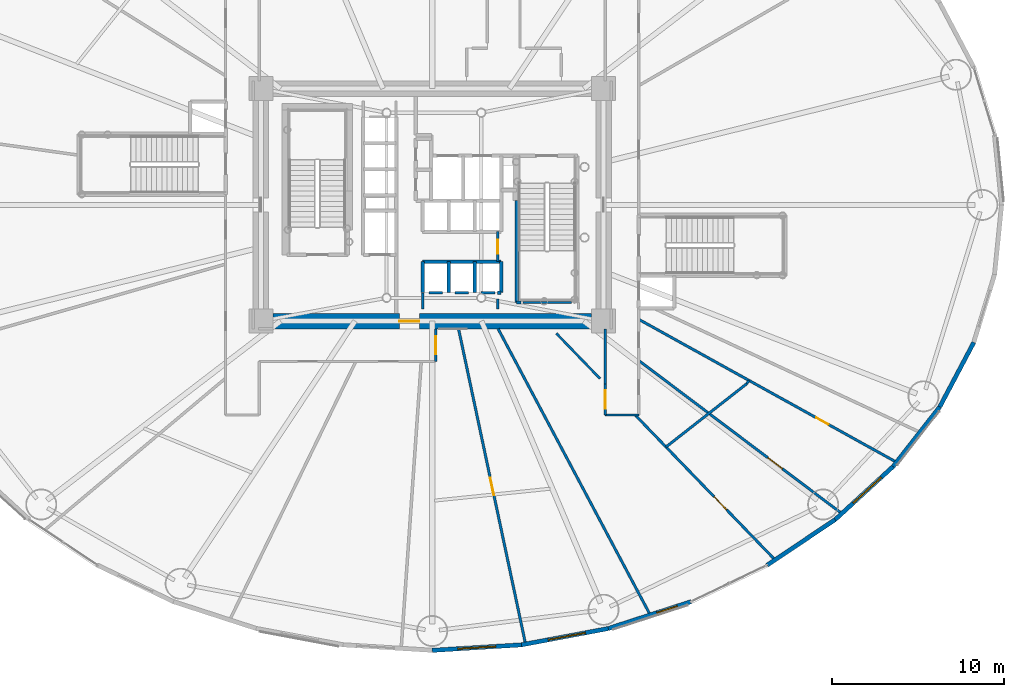
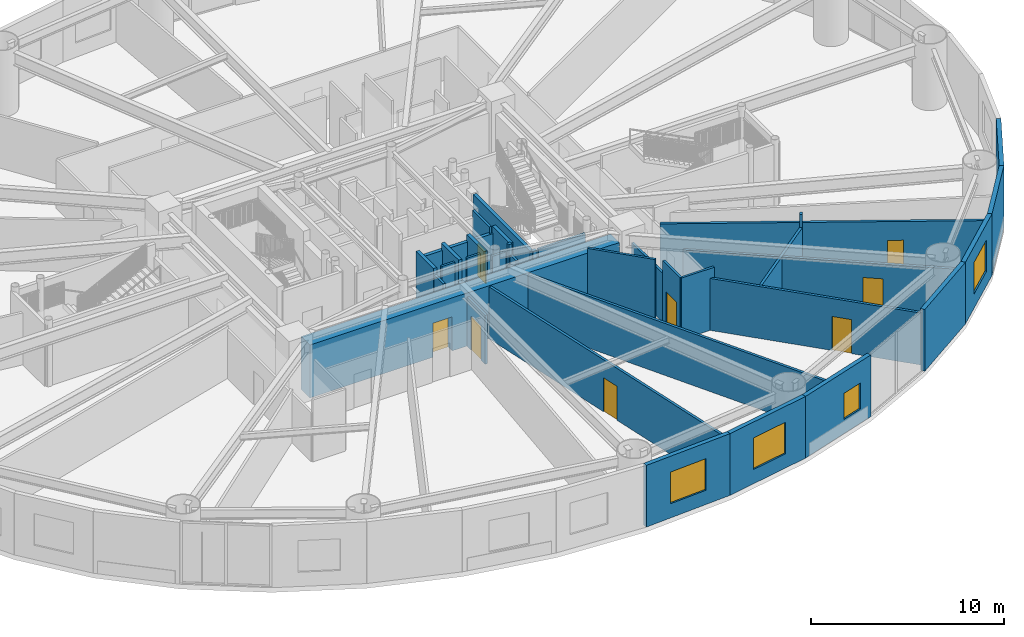
# One storey, part 14 of 27: 35 walls, 8 doors, 4 windows, 12 openings.
"""IFC4 building model written with IfcOpenShell, lengths in metres."""

import ifcopenshell
import ifcopenshell.guid

model = None  # the IFC model being written
_history = None  # IfcOwnerHistory: only IFC2X3 demands one
_inside = {}  # id of a spatial element -> (the spatial element, [elements in it])
_under = {}  # id of a project, library or spatial element -> (it, [spatial elements below it])
_declared = {}  # id of a project -> (the project, [libraries it declares])
_typed = {}  # id of a type object -> (the type object, [elements of that type])
_made_of = {}  # id of a material, layer set ... -> (it, [elements and type objects made of it])


def new_model(schema):
    """Start an empty IFC model of exactly this schema.

    Asked for "IFC4X3", IfcOpenShell would pick the latest addendum, in which some entities
    have other attributes; the version numbers below select the first issue.
    IFC2X3 requires an IfcOwnerHistory on every rooted entity: one is made here for all.
    """
    global model, _history
    if schema == "IFC4X3":
        model = ifcopenshell.file(schema_version=(4, 3, 0, 0))
    else:
        model = ifcopenshell.file(schema=schema)
    _inside.clear()
    _under.clear()
    _declared.clear()
    _typed.clear()
    _made_of.clear()
    _history = None
    if model.schema == "IFC2X3":
        org = make("IfcOrganization", Name="unknown")
        user = make(
            "IfcPersonAndOrganization",
            ThePerson=make("IfcPerson", FamilyName="unknown"),
            TheOrganization=org,
        )
        app = make(
            "IfcApplication",
            ApplicationDeveloper=org,
            Version="unknown",
            ApplicationFullName="unknown",
            ApplicationIdentifier="unknown",
        )
        _history = make(
            "IfcOwnerHistory",
            OwningUser=user,
            OwningApplication=app,
            ChangeAction="ADDED",
            CreationDate=0,
        )
    return model


def make(cls, **values):
    """One entity of the class cls with the attributes given. An attribute that is None is left unset."""
    return model.create_entity(
        cls, **{name: value for name, value in values.items() if value is not None}
    )


def rooted(cls, **values):
    """An entity with a GlobalId (a new one), such as an element, a storey or a relation."""
    return make(cls, GlobalId=ifcopenshell.guid.new(), OwnerHistory=_history, **values)


def si_unit(unit_type, name, prefix=None):
    """IfcSIUnit, for example si_unit("LENGTHUNIT", "METRE", prefix="MILLI")."""
    return make("IfcSIUnit", UnitType=unit_type, Prefix=prefix, Name=name)


def assignment(units):
    """IfcUnitAssignment: the units of a project."""
    return None if units is None else make("IfcUnitAssignment", Units=units)


def point(xyz):
    """IfcCartesianPoint."""
    return None if xyz is None else make("IfcCartesianPoint", Coordinates=xyz)


def direction(xyz):
    """IfcDirection."""
    return None if xyz is None else make("IfcDirection", DirectionRatios=xyz)


def frame(location, z_axis=None, x_axis=None):
    """IfcAxis2Placement3D, a coordinate frame: its origin and axes. An axis left out is left unset."""
    return make(
        "IfcAxis2Placement3D",
        Location=point(location),
        Axis=direction(z_axis),
        RefDirection=direction(x_axis),
    )


def frame_2d(location, x_axis=None):
    """IfcAxis2Placement2D, a coordinate frame in the plane: its origin and x axis."""
    return make(
        "IfcAxis2Placement2D", Location=point(location), RefDirection=direction(x_axis)
    )


def origin():
    """The frame at (0, 0, 0) with its axes left unset."""
    return frame((0.0, 0.0, 0.0))


def origin_2d():
    """The frame at (0, 0) in the plane with its x axis left unset."""
    return frame_2d((0.0, 0.0))


def place(relative_to, where):
    """IfcLocalPlacement: puts the frame where relative to a parent placement (None: the world)."""
    return make(
        "IfcLocalPlacement", PlacementRelTo=relative_to, RelativePlacement=where
    )


def context(
    kind, dimensions, precision=None, world=None, true_north=None, identifier=None
):
    """IfcGeometricRepresentationContext, for example the 3D "Model" context."""
    return make(
        "IfcGeometricRepresentationContext",
        ContextIdentifier=identifier,
        ContextType=kind,
        CoordinateSpaceDimension=dimensions,
        Precision=precision,
        WorldCoordinateSystem=world,
        TrueNorth=true_north,
    )


def subcontext(parent, identifier, kind, view, scale=None):
    """IfcGeometricRepresentationSubContext, for example "Body" below "Model"."""
    return make(
        "IfcGeometricRepresentationSubContext",
        ContextIdentifier=identifier,
        ContextType=kind,
        ParentContext=parent,
        TargetScale=scale,
        TargetView=view,
    )


def project(units=None, contexts=None):
    """IfcProject with its units and contexts."""
    return rooted(
        "IfcProject",
        Name="project",
        RepresentationContexts=contexts,
        UnitsInContext=assignment(units),
    )


def spatial(cls, under=None, at=None, **own):
    """A site, building, storey or space (cls), placed at a placement, below another one or the project."""
    s = rooted(cls, ObjectPlacement=at, **own)
    if under is not None:
        _under.setdefault(under.id(), (under, []))[1].append(s)
    return s


def profile(cls, at=None, kind="AREA", **sizes):
    """A parametric profile (cls). Its sizes go by their IFC names, for example OverallWidth=200.0."""
    return make(cls, ProfileType=kind, Position=at, **sizes)


def rectangle(**sizes):
    """IfcRectangleProfileDef."""
    return profile("IfcRectangleProfileDef", **sizes)


def extrude(swept, where, along, depth):
    """IfcExtrudedAreaSolid: the profile swept, set in the frame where, extruded along a direction by depth."""
    return make(
        "IfcExtrudedAreaSolid",
        SweptArea=swept,
        Position=where,
        ExtrudedDirection=direction(along),
        Depth=depth,
    )


def shape(context_of_items, identifier, shape_type, items):
    """IfcShapeRepresentation: the items that make up one representation, for example the "Body"."""
    return make(
        "IfcShapeRepresentation",
        ContextOfItems=context_of_items,
        RepresentationIdentifier=identifier,
        RepresentationType=shape_type,
        Items=items,
    )


def source(mapping_origin, context_of_items, identifier, shape_type, items):
    """IfcRepresentationMap: a shape defined once, which mapped items show again and again."""
    return make(
        "IfcRepresentationMap",
        MappingOrigin=mapping_origin,
        MappedRepresentation=shape(context_of_items, identifier, shape_type, items),
    )


def transform(
    local_origin,
    x_axis=None,
    y_axis=None,
    z_axis=None,
    scale=None,
    scale2=None,
    scale3=None,
    uniform=True,
):
    """IfcCartesianTransformationOperator3D, or its non-uniform kind. x_axis, y_axis, z_axis: its Axis1, 2, 3."""
    if uniform:
        return make(
            "IfcCartesianTransformationOperator3D",
            Axis1=direction(x_axis),
            Axis2=direction(y_axis),
            LocalOrigin=point(local_origin),
            Scale=scale,
            Axis3=direction(z_axis),
        )
    return make(
        "IfcCartesianTransformationOperator3DnonUniform",
        Axis1=direction(x_axis),
        Axis2=direction(y_axis),
        LocalOrigin=point(local_origin),
        Scale=scale,
        Axis3=direction(z_axis),
        Scale2=scale2,
        Scale3=scale3,
    )


def mapped(mapping_source, mapping_target):
    """IfcMappedItem: shows the shape of a source again, moved by a transform."""
    return make(
        "IfcMappedItem", MappingSource=mapping_source, MappingTarget=mapping_target
    )


def material(Name=None, Category=None):
    """IfcMaterial."""
    return make("IfcMaterial", Name=Name, Category=Category)


def layer(
    of_material, thickness, ventilated=None, Name=None, Category=None, Priority=None
):
    """IfcMaterialLayer: one layer of a wall or slab, of a material (None: an air gap)."""
    return make(
        "IfcMaterialLayer",
        Material=of_material,
        LayerThickness=thickness,
        IsVentilated=ventilated,
        Name=Name,
        Category=Category,
        Priority=Priority,
    )


def layer_set(layers, Name=None):
    """IfcMaterialLayerSet."""
    return make("IfcMaterialLayerSet", MaterialLayers=layers, LayerSetName=Name)


def made_of(thing, what):
    """Note that an element or type object is made of a material, layer set ...; save() writes the relation."""
    if what is not None:
        _made_of.setdefault(what.id(), (what, []))[1].append(thing)
    return thing


def type_object(cls, material=None, **own):
    """A type object (cls), such as IfcWallType, which elements share."""
    return made_of(rooted(cls, **own), material)


def element(
    cls,
    number,
    at=None,
    inside=None,
    cuts=None,
    type_object=None,
    material=None,
    context=None,
    identifier="Body",
    shape_type=None,
    held_by="IfcProductDefinitionShape",
    body=None,
    shapes=None,
    **own,
):
    """One element of the class cls, such as IfcWall. Its Tag is "e" and its number.

    at: its placement. inside: the storey or other place that contains it. cuts: it is an
    opening in that element (IfcRelVoidsElement). A single representation is given by context,
    identifier, shape_type and body (its items); several are given by shapes. held_by: the class
    of the entity that holds the representations. save() writes the other relations.
    """
    e = rooted(cls, Tag="e%d" % number, ObjectPlacement=at, **own)
    if body is not None:
        shapes = [shape(context, identifier, shape_type, body)]
    if shapes is not None:
        e.Representation = make(held_by, Representations=shapes)
    if inside is not None:
        _inside.setdefault(inside.id(), (inside, []))[1].append(e)
    if cuts is not None:
        rooted(
            "IfcRelVoidsElement", RelatingBuildingElement=cuts, RelatedOpeningElement=e
        )
    if type_object is not None:
        _typed.setdefault(type_object.id(), (type_object, []))[1].append(e)
    return made_of(e, material)


def fill(opening, filler):
    """IfcRelFillsElement: the door or window that sits in an opening."""
    return rooted(
        "IfcRelFillsElement",
        RelatingOpeningElement=opening,
        RelatedBuildingElement=filler,
    )


def aggregate(whole, parts):
    """IfcRelAggregates: a whole, such as a stair, and the parts it consists of."""
    return rooted("IfcRelAggregates", RelatingObject=whole, RelatedObjects=parts)


def save(model, path):
    """Write the relations noted so far, then the file.

    IfcRelAggregates (storeys below a building ...), IfcRelContainedInSpatialStructure (elements
    in a storey), IfcRelDefinesByType, IfcRelAssociatesMaterial and IfcRelDeclares: one each for
    every whole, place, type object, material and project.
    """
    for whole, parts in _under.values():
        aggregate(whole, parts)
    for where, things in _inside.values():
        rooted(
            "IfcRelContainedInSpatialStructure",
            RelatedElements=things,
            RelatingStructure=where,
        )
    for kind, things in _typed.values():
        rooted("IfcRelDefinesByType", RelatedObjects=things, RelatingType=kind)
    for what, things in _made_of.values():
        rooted("IfcRelAssociatesMaterial", RelatedObjects=things, RelatingMaterial=what)
    for by, libraries in _declared.values():
        rooted("IfcRelDeclares", RelatingContext=by, RelatedDefinitions=libraries)
    model.write(path)


model = new_model("IFC4")

# Units and contexts
model_context = context("Model", 3, precision=1e-05, world=origin(), true_north=direction((0.0, 1.0)))
body_context = subcontext(model_context, "Body", "Model", "MODEL_VIEW")
ifc_project = project(units=[si_unit("LENGTHUNIT", "METRE"), si_unit("AREAUNIT", "SQUARE_METRE"), si_unit("VOLUMEUNIT", "CUBIC_METRE"), si_unit("PLANEANGLEUNIT", "RADIAN"), si_unit("MASSUNIT", "GRAM", prefix="KILO")], contexts=[model_context])

# Site, building, storey
site_placement = place(None, origin())
site = spatial("IfcSite", under=ifc_project, at=site_placement, CompositionType="ELEMENT")
building_placement = place(site_placement, origin())
building = spatial("IfcBuilding", under=site, at=building_placement, Name="Linh Dai School and Residence Tower", CompositionType="ELEMENT")
storey_placement = place(building_placement, frame((0.0, 0.0, 18.60009765625)))
storey = spatial("IfcBuildingStorey", under=building, at=storey_placement, Name="L04", CompositionType="ELEMENT", Elevation=18.60009765625)

# Wall, opening, window
ifc_material_1 = material(Name="Precast Concrete B45 (C35/45)", Category="concrete")
ifc_layer_1 = layer(ifc_material_1, 0.25)
ifc_layer_set_1 = layer_set([ifc_layer_1], Name="Precast Concrete B45 (C35/45)")
wall_type_1 = type_object("IfcWallType", Name="EW-TC-250", PredefinedType="SOLIDWALL", material=ifc_layer_set_1)
wall_1_placement = place(storey_placement, frame((41.17822265625, 1.444091796875, 0.0), z_axis=(0.0, 0.0, 1.0), x_axis=(-0.998106762298, -0.061505211614, 0.0)))
wall_1 = element("IfcWall", 1, at=wall_1_placement, inside=storey, type_object=wall_type_1, Name="L04 Terracotta Exterior Wall 31", PredefinedType="SOLIDWALL", context=body_context, shape_type="SweptSolid", body=[
    extrude(rectangle(XDim=5.18798828125, YDim=0.25, at=frame_2d((2.593994140625, 0.0))), origin(), (0.0, 0.0, 1.0), 3.89990234375),
])
opening_1_placement = place(wall_1_placement, frame((1.493896484375, 0.0, 0.89990234375)))
opening_1 = element("IfcOpeningElement", 2, at=opening_1_placement, cuts=wall_1, Name="Opening W4", PredefinedType="OPENING", context=body_context, shape_type="SweptSolid", body=[
    extrude(rectangle(XDim=2.199951171875, YDim=2.0, at=origin_2d()), frame((1.10009765625, 0.135009765625, 1.0), z_axis=(0.0, -1.0, 0.0), x_axis=(1.0, 0.0, 0.0)), (0.0, 0.0, 1.0), 0.27001953125),
])
ifc_material_2 = material(Name="Acoustic Laminated Low-E Glazing", Category="glass")
window_type_1 = type_object("IfcWindowType", Name="WN-SCH-2200x2000", PartitioningType="TRIPLE_PANEL_VERTICAL", PredefinedType="WINDOW", material=ifc_material_2)
shared_shape_1 = source(origin(), body_context, "Body", "SweptSolid", [
    extrude(rectangle(XDim=2.199951171875, YDim=2.0, at=origin_2d()), frame((1.10009765625, 0.030029296875, 1.0), z_axis=(0.0, -1.0, 0.0), x_axis=(1.0, 0.0, 0.0)), (0.0, 0.0, 1.0), 0.06005859375),
])
window_1_placement = place(opening_1_placement, origin())
window_1 = element("IfcWindow", 3, at=window_1_placement, inside=storey, type_object=window_type_1, Name="L04 Exterior Window 31.1", OverallHeight=2.0, OverallWidth=2.199951171875, PartitioningType="TRIPLE_PANEL_VERTICAL", PredefinedType="WINDOW", context=body_context, shape_type="MappedRepresentation", body=[
    mapped(shared_shape_1, transform((0.0, 0.0, 0.0), x_axis=(1.0, 0.0, 0.0), y_axis=(0.0, 1.0, 0.0), z_axis=(0.0, 0.0, 1.0), scale=1.0)),
])
fill(opening_1, window_1)

wall_2_placement = place(storey_placement, frame((46.228515625, 2.3935546875, 0.0), z_axis=(0.0, 0.0, 1.0), x_axis=(-0.98278278947, -0.184764684726, 0.0)))
wall_2 = element("IfcWall", 4, at=wall_2_placement, inside=storey, type_object=wall_type_1, Name="L04 Terracotta Exterior Wall 32", PredefinedType="SOLIDWALL", context=body_context, shape_type="SweptSolid", body=[
    extrude(rectangle(XDim=5.138671875, YDim=0.25, at=frame_2d((2.5693359375, 0.0))), origin(), (0.0, 0.0, 1.0), 3.89990234375),
])
opening_2_placement = place(wall_2_placement, frame((1.3505859375, 0.0, 0.89990234375)))
opening_2 = element("IfcOpeningElement", 5, at=opening_2_placement, cuts=wall_2, Name="Opening W4", PredefinedType="OPENING", context=body_context, shape_type="SweptSolid", body=[
    extrude(rectangle(XDim=2.199951171875, YDim=2.0, at=origin_2d()), frame((1.10009765625, 0.135009765625, 1.0), z_axis=(0.0, -1.0, 0.0), x_axis=(1.0, 0.0, 0.0)), (0.0, 0.0, 1.0), 0.27001953125),
])
window_2_placement = place(opening_2_placement, origin())
window_2 = element("IfcWindow", 6, at=window_2_placement, inside=storey, type_object=window_type_1, Name="L04 Exterior Window 32.1", OverallHeight=2.0, OverallWidth=2.199951171875, PartitioningType="TRIPLE_PANEL_VERTICAL", PredefinedType="WINDOW", context=body_context, shape_type="MappedRepresentation", body=[
    mapped(shared_shape_1, transform((0.0, 0.0, 0.0), x_axis=(1.0, 0.0, 0.0), y_axis=(0.0, 1.0, 0.0), z_axis=(0.0, 0.0, 1.0), scale=1.0)),
])
fill(opening_2, window_2)

wall_3_placement = place(storey_placement, frame((51.026123046875, 3.949951171875, 0.0), z_axis=(0.0, 0.0, 1.0), x_axis=(-0.951198629726, -0.308579271513, 0.0)))
wall_3 = element("IfcWall", 7, at=wall_3_placement, inside=storey, type_object=wall_type_1, Name="L04 Terracotta Exterior Wall 33", PredefinedType="SOLIDWALL", context=body_context, shape_type="SweptSolid", body=[
    extrude(rectangle(XDim=5.043701171875, YDim=0.25, at=frame_2d((2.52197265625, 0.0))), origin(), (0.0, 0.0, 1.0), 3.89990234375),
])
opening_3_placement = place(wall_3_placement, frame((0.822021484375, 0.0, 0.89990234375)))
opening_3 = element("IfcOpeningElement", 8, at=opening_3_placement, cuts=wall_3, Name="Opening W3", PredefinedType="OPENING", context=body_context, shape_type="SweptSolid", body=[
    extrude(rectangle(XDim=1.25, YDim=1.64990234375, at=origin_2d()), frame((0.625, 0.135009765625, 0.824951171875), z_axis=(0.0, -1.0, 0.0), x_axis=(1.0, 0.0, 0.0)), (0.0, 0.0, 1.0), 0.27001953125),
])
ifc_material_3 = material(Name="Double Low-E Insulated Glazing", Category="glass")
window_type_2 = type_object("IfcWindowType", Name="WN-RES-1250x1650", PartitioningType="SINGLE_PANEL", PredefinedType="WINDOW", material=ifc_material_3)
shared_shape_2 = source(origin(), body_context, "Body", "SweptSolid", [
    extrude(rectangle(XDim=1.25, YDim=1.64990234375, at=origin_2d()), frame((0.625, 0.030029296875, 0.824951171875), z_axis=(0.0, -1.0, 0.0), x_axis=(1.0, 0.0, 0.0)), (0.0, 0.0, 1.0), 0.06005859375),
])
window_3_placement = place(opening_3_placement, origin())
window_3 = element("IfcWindow", 9, at=window_3_placement, inside=storey, type_object=window_type_2, Name="L04 Exterior Window 33.1", OverallHeight=1.64990234375, OverallWidth=1.25, PartitioningType="SINGLE_PANEL", PredefinedType="WINDOW", context=body_context, shape_type="MappedRepresentation", body=[
    mapped(shared_shape_2, transform((0.0, 0.0, 0.0), x_axis=(1.0, 0.0, 0.0), y_axis=(0.0, 1.0, 0.0), z_axis=(0.0, 0.0, 1.0), scale=1.0)),
])
fill(opening_3, window_3)

# Wall
wall_4_placement = place(storey_placement, frame((59.39892578125, 8.713623046875, 0.0), z_axis=(0.0, 0.0, 1.0), x_axis=(-0.831218664812, -0.555945618985, 0.0)))
element("IfcWall", 10, at=wall_4_placement, inside=storey, type_object=wall_type_1, Name="L04 Terracotta Exterior Wall 35", PredefinedType="SOLIDWALL", context=body_context, shape_type="SweptSolid", body=[
    extrude(rectangle(XDim=4.74755859375, YDim=0.25, at=frame_2d((2.373779296875, 0.0))), origin(), (0.0, 0.0, 1.0), 3.89990234375),
])

# Wall, opening, window
wall_5_placement = place(storey_placement, frame((62.767822265625, 11.802490234375, 0.0), z_axis=(0.0, 0.0, 1.0), x_axis=(-0.737076532105, -0.675809282136, 0.0)))
wall_5 = element("IfcWall", 11, at=wall_5_placement, inside=storey, type_object=wall_type_1, Name="L04 Terracotta Exterior Wall 36", PredefinedType="SOLIDWALL", context=body_context, shape_type="SweptSolid", body=[
    extrude(rectangle(XDim=4.570556640625, YDim=0.25, at=frame_2d((2.28515625, 0.0))), origin(), (0.0, 0.0, 1.0), 3.89990234375),
])
opening_4_placement = place(wall_5_placement, frame((0.936279296875, 0.0, 0.89990234375)))
opening_4 = element("IfcOpeningElement", 12, at=opening_4_placement, cuts=wall_5, Name="Opening W4", PredefinedType="OPENING", context=body_context, shape_type="SweptSolid", body=[
    extrude(rectangle(XDim=2.199951171875, YDim=2.0, at=origin_2d()), frame((1.10009765625, 0.135009765625, 1.0), z_axis=(0.0, -1.0, 0.0), x_axis=(1.0, 0.0, 0.0)), (0.0, 0.0, 1.0), 0.27001953125),
])
window_4_placement = place(opening_4_placement, origin())
window_4 = element("IfcWindow", 13, at=window_4_placement, inside=storey, type_object=window_type_1, Name="L04 Exterior Window 36.1", OverallHeight=2.0, OverallWidth=2.199951171875, PartitioningType="TRIPLE_PANEL_VERTICAL", PredefinedType="WINDOW", context=body_context, shape_type="MappedRepresentation", body=[
    mapped(shared_shape_1, transform((0.0, 0.0, 0.0), x_axis=(1.0, 0.0, 0.0), y_axis=(0.0, 1.0, 0.0), z_axis=(0.0, 0.0, 1.0), scale=1.0)),
])
fill(opening_4, window_4)

# Walls
wall_6_placement = place(storey_placement, frame((65.4765625, 15.264404296875, 0.0), z_axis=(0.0, 0.0, 1.0), x_axis=(-0.61622589112, -0.787569457961, 0.0)))
element("IfcWall", 14, at=wall_6_placement, inside=storey, type_object=wall_type_1, Name="L04 Terracotta Exterior Wall 37", PredefinedType="SOLIDWALL", context=body_context, shape_type="SweptSolid", body=[
    extrude(rectangle(XDim=4.395751953125, YDim=0.25, at=frame_2d((2.19775390625, 0.0))), origin(), (0.0, 0.0, 1.0), 3.89990234375),
])
wall_7_placement = place(storey_placement, frame((67.459716796875, 19.013427734375, 0.0), z_axis=(0.0, 0.0, 1.0), x_axis=(-0.467588829866, -0.883946087827, 0.0)))
element("IfcWall", 15, at=wall_7_placement, inside=storey, type_object=wall_type_1, Name="L04 Terracotta Exterior Wall 38", PredefinedType="SOLIDWALL", context=body_context, shape_type="SweptSolid", body=[
    extrude(rectangle(XDim=4.2412109375, YDim=0.25, at=frame_2d((2.12060546875, 0.0))), origin(), (0.0, 0.0, 1.0), 3.89990234375),
])

# Wall, opening, door
ifc_material_4 = material(Name="Autoclaved Aerated Concrete Blockwork", Category="masonry")
ifc_layer_2 = layer(ifc_material_4, 0.135009765625)
ifc_layer_set_2 = layer_set([ifc_layer_2], Name="Autoclaved Aerated Concrete Blockwork")
wall_type_2 = type_object("IfcWallType", Name="IW-CORR-135-EI90", PredefinedType="PARTITIONING", material=ifc_layer_set_2)
wall_8_placement = place(storey_placement, frame((36.199951171875, 17.89990234375, 0.0), z_axis=(0.0, 0.0, 1.0), x_axis=(0.0, 1.0, 0.0)))
wall_8 = element("IfcWall", 16, at=wall_8_placement, inside=storey, type_object=wall_type_2, Name="L04 Interior Partition Wall 042", PredefinedType="PARTITIONING", context=body_context, shape_type="SweptSolid", body=[
    extrude(rectangle(XDim=1.900146484375, YDim=0.135009765625, at=frame_2d((0.9501953125, 0.0))), origin(), (0.0, 0.0, 1.0), 3.0849609375),
])
opening_5_placement = place(wall_8_placement, frame((0.425048828125, 0.0, 0.0)))
opening_5 = element("IfcOpeningElement", 17, at=opening_5_placement, cuts=wall_8, Name="Opening D04", PredefinedType="OPENING", context=body_context, shape_type="SweptSolid", body=[
    extrude(rectangle(XDim=1.050048828125, YDim=2.14990234375, at=origin_2d()), frame((0.52490234375, 0.07763671875, 1.074951171875), z_axis=(0.0, -1.0, 0.0), x_axis=(1.0, 0.0, 0.0)), (0.0, 0.0, 1.0), 0.155029296875),
])
ifc_material_5 = material(Name="Acoustic Vision-Panel Timber Classroom Door", Category="wood")
door_type_1 = type_object("IfcDoorType", Name="DR-SCH-1050x2150-FD60S", OperationType="NOTDEFINED", PredefinedType="DOOR", material=ifc_material_5)
shared_shape_3 = source(origin(), body_context, "Body", "SweptSolid", [
    extrude(rectangle(XDim=1.050048828125, YDim=2.14990234375, at=origin_2d()), frame((0.52490234375, 0.02490234375, 1.074951171875), z_axis=(0.0, -1.0, 0.0), x_axis=(1.0, 0.0, 0.0)), (0.0, 0.0, 1.0), 0.050048828125),
])
door_1_placement = place(opening_5_placement, origin())
door_1 = element("IfcDoor", 18, at=door_1_placement, inside=storey, type_object=door_type_1, Name="L04 Language Tutorial Room 1 Door", OperationType="SINGLE_SWING_LEFT", OverallHeight=2.14990234375, OverallWidth=1.050048828125, PredefinedType="DOOR", context=body_context, shape_type="MappedRepresentation", body=[
    mapped(shared_shape_3, transform((0.0, 0.0, 0.0), x_axis=(1.0, 0.0, 0.0), y_axis=(0.0, 1.0, 0.0), z_axis=(0.0, 0.0, 1.0), scale=1.0)),
])
fill(opening_5, door_1)

wall_9_placement = place(storey_placement, frame((39.800048828125, 23.699951171875, 0.0), z_axis=(0.0, 0.0, 1.0), x_axis=(0.0, 1.0, 0.0)))
wall_9 = element("IfcWall", 19, at=wall_9_placement, inside=storey, type_object=wall_type_2, Name="L04 Interior Partition Wall 050", PredefinedType="PARTITIONING", context=body_context, shape_type="SweptSolid", body=[
    extrude(rectangle(XDim=1.75, YDim=0.135009765625, at=frame_2d((0.875, 0.0))), origin(), (0.0, 0.0, 1.0), 3.89990234375),
])
opening_6_placement = place(wall_9_placement, frame((0.465087890625, 0.0, 0.0)))
opening_6 = element("IfcOpeningElement", 20, at=opening_6_placement, cuts=wall_9, Name="Opening D06", PredefinedType="OPENING", context=body_context, shape_type="SweptSolid", body=[
    extrude(rectangle(XDim=0.820068359375, YDim=2.10009765625, at=origin_2d()), frame((0.41015625, 0.07763671875, 1.050048828125), z_axis=(0.0, -1.0, 0.0), x_axis=(1.0, 0.0, 0.0)), (0.0, 0.0, 1.0), 0.155029296875),
])
ifc_material_6 = material(Name="Moisture-Resistant Timber Bathroom Door", Category="wood")
door_type_2 = type_object("IfcDoorType", Name="DR-WET-820x2100", OperationType="NOTDEFINED", PredefinedType="DOOR", material=ifc_material_6)
shared_shape_4 = source(origin(), body_context, "Body", "SweptSolid", [
    extrude(rectangle(XDim=0.820068359375, YDim=2.10009765625, at=origin_2d()), frame((0.41015625, 0.02490234375, 1.050048828125), z_axis=(0.0, -1.0, 0.0), x_axis=(1.0, 0.0, 0.0)), (0.0, 0.0, 1.0), 0.050048828125),
])
door_2_placement = place(opening_6_placement, origin())
door_2 = element("IfcDoor", 21, at=door_2_placement, inside=storey, type_object=door_type_2, Name="L04 Core Housekeeping Store Door", OperationType="SINGLE_SWING_RIGHT", OverallHeight=2.10009765625, OverallWidth=0.820068359375, PredefinedType="DOOR", context=body_context, shape_type="MappedRepresentation", body=[
    mapped(shared_shape_4, transform((0.0, 0.0, 0.0), x_axis=(1.0, 0.0, 0.0), y_axis=(0.0, 1.0, 0.0), z_axis=(0.0, 0.0, 1.0), scale=1.0)),
])
fill(opening_6, door_2)

wall_10_placement = place(storey_placement, frame((46.050048828125, 14.800048828125, 0.0), z_axis=(0.0, 0.0, 1.0), x_axis=(0.0, 1.0, 0.0)))
wall_10 = element("IfcWall", 22, at=wall_10_placement, inside=storey, type_object=wall_type_2, Name="L04 Interior Partition Wall 059", PredefinedType="PARTITIONING", context=body_context, shape_type="SweptSolid", body=[
    extrude(rectangle(XDim=1.79296875, YDim=0.135009765625, at=frame_2d((0.896484375, 0.0))), origin(), (0.0, 0.0, 1.0), 3.89990234375),
])
opening_7_placement = place(wall_10_placement, frame((0.37158203125, 0.0, 0.0)))
opening_7 = element("IfcOpeningElement", 23, at=opening_7_placement, cuts=wall_10, Name="Opening D04", PredefinedType="OPENING", context=body_context, shape_type="SweptSolid", body=[
    extrude(rectangle(XDim=1.050048828125, YDim=2.14990234375, at=origin_2d()), frame((0.52490234375, 0.07763671875, 1.074951171875), z_axis=(0.0, -1.0, 0.0), x_axis=(1.0, 0.0, 0.0)), (0.0, 0.0, 1.0), 0.155029296875),
])
door_3_placement = place(opening_7_placement, origin())
door_3 = element("IfcDoor", 24, at=door_3_placement, inside=storey, type_object=door_type_1, Name="L04 Faculty Workroom Door", OperationType="SINGLE_SWING_LEFT", OverallHeight=2.14990234375, OverallWidth=1.050048828125, PredefinedType="DOOR", context=body_context, shape_type="MappedRepresentation", body=[
    mapped(shared_shape_3, transform((0.0, 0.0, 0.0), x_axis=(1.0, 0.0, 0.0), y_axis=(0.0, 1.0, 0.0), z_axis=(0.0, 0.0, 1.0), scale=1.0)),
])
fill(opening_7, door_3)

# Walls
wall_11_placement = place(storey_placement, frame((46.050048828125, 14.800048828125, 0.0), z_axis=(0.0, 0.0, 1.0), x_axis=(1.0, 0.0, 0.0)))
element("IfcWall", 25, at=wall_11_placement, inside=storey, type_object=wall_type_2, Name="L04 Interior Partition Wall 060", PredefinedType="PARTITIONING", context=body_context, shape_type="SweptSolid", body=[
    extrude(rectangle(XDim=1.949951171875, YDim=0.135009765625, at=frame_2d((0.97509765625, 0.0))), origin(), (0.0, 0.0, 1.0), 3.89990234375),
])
wall_12_placement = place(storey_placement, frame((44.080078125, 21.330078125, 0.0), z_axis=(0.0, 0.0, 1.0), x_axis=(-1.0, 0.0, 0.0)))
element("IfcWall", 26, at=wall_12_placement, inside=storey, type_object=wall_type_2, Name="L04 Interior Partition Wall 076", PredefinedType="PARTITIONING", context=body_context, shape_type="SweptSolid", body=[
    extrude(rectangle(XDim=2.820068359375, YDim=0.135009765625, at=frame_2d((1.41015625, 0.0))), origin(), (0.0, 0.0, 1.0), 3.434814453125),
])
wall_13_placement = place(storey_placement, frame((36.60009765625, 21.89990234375, 0.0), z_axis=(0.0, 0.0, 1.0), x_axis=(-1.0, 0.0, 0.0)))
element("IfcWall", 27, at=wall_13_placement, inside=storey, type_object=wall_type_2, Name="L04 Interior Partition Wall 077", PredefinedType="PARTITIONING", context=body_context, shape_type="SweptSolid", body=[
    extrude(rectangle(XDim=0.7900390625, YDim=0.135009765625, at=frame_2d((0.39501953125, 0.0))), origin(), (0.0, 0.0, 1.0), 3.89990234375),
])
wall_14_placement = place(storey_placement, frame((38.1201171875, 21.89990234375, 0.0), z_axis=(0.0, 0.0, 1.0), x_axis=(-1.0, 0.0, 0.0)))
element("IfcWall", 28, at=wall_14_placement, inside=storey, type_object=wall_type_2, Name="L04 Interior Partition Wall 078", PredefinedType="PARTITIONING", context=body_context, shape_type="SweptSolid", body=[
    extrude(rectangle(XDim=0.800048828125, YDim=0.135009765625, at=frame_2d((0.39990234375, 0.0))), origin(), (0.0, 0.0, 1.0), 3.89990234375),
])
wall_15_placement = place(storey_placement, frame((39.639892578125, 21.89990234375, 0.0), z_axis=(0.0, 0.0, 1.0), x_axis=(-1.0, 0.0, 0.0)))
element("IfcWall", 29, at=wall_15_placement, inside=storey, type_object=wall_type_2, Name="L04 Interior Partition Wall 079", PredefinedType="PARTITIONING", context=body_context, shape_type="SweptSolid", body=[
    extrude(rectangle(XDim=0.7998046875, YDim=0.135009765625, at=frame_2d((0.39990234375, 0.0))), origin(), (0.0, 0.0, 1.0), 3.48486328125),
])
wall_16_placement = place(storey_placement, frame((39.800048828125, 20.9599609375, 0.0), z_axis=(0.0, 0.0, 1.0), x_axis=(0.0, 1.0, 0.0)))
element("IfcWall", 30, at=wall_16_placement, inside=storey, type_object=wall_type_2, Name="L04 Interior Partition Wall 081", PredefinedType="PARTITIONING", context=body_context, shape_type="SweptSolid", body=[
    extrude(rectangle(XDim=0.580078125, YDim=0.135009765625, at=frame_2d((0.2900390625, 0.0))), origin(), (0.0, 0.0, 1.0), 3.434814453125),
])
wall_17_placement = place(storey_placement, frame((35.449951171875, 21.889892578125, 0.0), z_axis=(0.0, 0.0, 1.0), x_axis=(0.0, -1.0, 0.0)))
element("IfcWall", 31, at=wall_17_placement, inside=storey, type_object=wall_type_2, Name="L04 Interior Partition Wall 084", PredefinedType="PARTITIONING", context=body_context, shape_type="SweptSolid", body=[
    extrude(rectangle(XDim=0.929931640625, YDim=0.135009765625, at=frame_2d((0.46484375, 0.0))), origin(), (0.0, 0.0, 1.0), 3.48486328125),
])
wall_18_placement = place(storey_placement, frame((46.050048828125, 16.60302734375, 0.0), z_axis=(0.0, 0.0, 1.0), x_axis=(0.0, 1.0, 0.0)))
element("IfcWall", 32, at=wall_18_placement, inside=storey, type_object=wall_type_2, Name="L04 Interior Partition Wall 086", PredefinedType="PARTITIONING", context=body_context, shape_type="SweptSolid", body=[
    extrude(rectangle(XDim=3.197021484375, YDim=0.135009765625, at=frame_2d((1.5986328125, 0.0))), origin(), (0.0, 0.0, 1.0), 3.0849609375),
])
wall_19_placement = place(storey_placement, frame((43.2041015625, 19.5400390625, 0.0), z_axis=(0.0, 0.0, 1.0), x_axis=(0.694638628507, -0.719358864397, 0.0)))
element("IfcWall", 33, at=wall_19_placement, inside=storey, type_object=wall_type_2, Name="L04 Interior Partition Wall 102", PredefinedType="PARTITIONING", context=body_context, shape_type="SweptSolid", body=[
    extrude(rectangle(XDim=3.654052734375, YDim=0.135009765625, at=frame_2d((1.8271484375, 0.0))), origin(), (0.0, 0.0, 1.0), 3.89990234375),
])

# Wall, opening, door
ifc_layer_3 = layer(ifc_material_4, 0.14990234375)
ifc_layer_set_3 = layer_set([ifc_layer_3], Name="Autoclaved Aerated Concrete Blockwork")
wall_type_3 = type_object("IfcWallType", Name="IW-SCH-150-EI60", PredefinedType="PARTITIONING", material=ifc_layer_set_3)
wall_20_placement = place(storey_placement, frame((37.530517578125, 19.800048828125, 0.0), z_axis=(0.0, 0.0, 1.0), x_axis=(0.207904603096, -0.978149107249, 0.0)))
wall_20 = element("IfcWall", 34, at=wall_20_placement, inside=storey, type_object=wall_type_3, Name="L04 Interior Partition Wall 045", PredefinedType="PARTITIONING", context=body_context, shape_type="SweptSolid", body=[
    extrude(rectangle(XDim=18.72412109375, YDim=0.14990234375, at=frame_2d((9.362060546875, 0.0))), origin(), (0.0, 0.0, 1.0), 3.284912109375),
])
opening_8_placement = place(wall_20_placement, frame((8.8369140625, 0.0, 0.0)))
opening_8 = element("IfcOpeningElement", 35, at=opening_8_placement, cuts=wall_20, Name="Opening D04", PredefinedType="OPENING", context=body_context, shape_type="SweptSolid", body=[
    extrude(rectangle(XDim=1.050048828125, YDim=2.14990234375, at=origin_2d()), frame((0.52490234375, 0.0849609375, 1.074951171875), z_axis=(0.0, -1.0, 0.0), x_axis=(1.0, 0.0, 0.0)), (0.0, 0.0, 1.0), 0.169921875),
])
door_4_placement = place(opening_8_placement, origin())
door_4 = element("IfcDoor", 36, at=door_4_placement, inside=storey, type_object=door_type_1, Name="L04 Language Tutorial Room 2 Door", OperationType="SINGLE_SWING_RIGHT", OverallHeight=2.14990234375, OverallWidth=1.050048828125, PredefinedType="DOOR", context=body_context, shape_type="MappedRepresentation", body=[
    mapped(shared_shape_3, transform((0.0, 0.0, 0.0), x_axis=(1.0, 0.0, 0.0), y_axis=(0.0, 1.0, 0.0), z_axis=(0.0, 0.0, 1.0), scale=1.0)),
])
fill(opening_8, door_4)

# Wall
wall_21_placement = place(storey_placement, frame((39.828369140625, 19.800048828125, 0.0), z_axis=(0.0, 0.0, 1.0), x_axis=(0.469463695446, -0.882951775953, 0.0)))
element("IfcWall", 37, at=wall_21_placement, inside=storey, type_object=wall_type_3, Name="L04 Interior Partition Wall 051", PredefinedType="PARTITIONING", context=body_context, shape_type="SweptSolid", body=[
    extrude(rectangle(XDim=18.824462890625, YDim=0.14990234375, at=frame_2d((9.412109375, 0.0))), origin(), (0.0, 0.0, 1.0), 3.284912109375),
])

# Wall, opening, door
wall_22_placement = place(storey_placement, frame((47.781494140625, 14.800048828125, 0.0), z_axis=(0.0, 0.0, 1.0), x_axis=(0.694655165544, -0.719342895275, 0.0)))
wall_22 = element("IfcWall", 38, at=wall_22_placement, inside=storey, type_object=wall_type_3, Name="L04 Interior Partition Wall 061", PredefinedType="PARTITIONING", context=body_context, shape_type="SweptSolid", body=[
    extrude(rectangle(XDim=11.708740234375, YDim=0.14990234375, at=frame_2d((5.8544921875, 0.0))), origin(), (0.0, 0.0, 1.0), 3.284912109375),
])
opening_9_placement = place(wall_22_placement, frame((6.603271484375, 0.0, 0.0)))
opening_9 = element("IfcOpeningElement", 39, at=opening_9_placement, cuts=wall_22, Name="Opening D04", PredefinedType="OPENING", context=body_context, shape_type="SweptSolid", body=[
    extrude(rectangle(XDim=1.050048828125, YDim=2.14990234375, at=origin_2d()), frame((0.52490234375, 0.0849609375, 1.074951171875), z_axis=(0.0, -1.0, 0.0), x_axis=(1.0, 0.0, 0.0)), (0.0, 0.0, 1.0), 0.169921875),
])
door_5_placement = place(opening_9_placement, origin())
door_5 = element("IfcDoor", 40, at=door_5_placement, inside=storey, type_object=door_type_1, Name="L04 Resource Study Room BWC Door", OperationType="SINGLE_SWING_LEFT", OverallHeight=2.14990234375, OverallWidth=1.050048828125, PredefinedType="DOOR", context=body_context, shape_type="MappedRepresentation", body=[
    mapped(shared_shape_3, transform((0.0, 0.0, 0.0), x_axis=(1.0, 0.0, 0.0), y_axis=(0.0, 1.0, 0.0), z_axis=(0.0, 0.0, 1.0), scale=1.0)),
])
fill(opening_9, door_5)

wall_23_placement = place(storey_placement, frame((48.0, 17.957275390625, 0.0), z_axis=(0.0, 0.0, 1.0), x_axis=(0.798637068648, -0.601812954814, 0.0)))
wall_23 = element("IfcWall", 41, at=wall_23_placement, inside=storey, type_object=wall_type_3, Name="L04 Interior Partition Wall 063", PredefinedType="PARTITIONING", context=body_context, shape_type="SweptSolid", body=[
    extrude(rectangle(XDim=14.768310546875, YDim=0.14990234375, at=frame_2d((7.38427734375, 0.0))), origin(), (0.0, 0.0, 1.0), 3.0849609375),
])
opening_10_placement = place(wall_23_placement, frame((9.3876953125, 0.0, 0.0)))
opening_10 = element("IfcOpeningElement", 42, at=opening_10_placement, cuts=wall_23, Name="Opening D04", PredefinedType="OPENING", context=body_context, shape_type="SweptSolid", body=[
    extrude(rectangle(XDim=1.050048828125, YDim=2.14990234375, at=origin_2d()), frame((0.52490234375, 0.0849609375, 1.074951171875), z_axis=(0.0, -1.0, 0.0), x_axis=(1.0, 0.0, 0.0)), (0.0, 0.0, 1.0), 0.169921875),
])
door_6_placement = place(opening_10_placement, origin())
door_6 = element("IfcDoor", 43, at=door_6_placement, inside=storey, type_object=door_type_1, Name="L04 Resource Study Room GWC Door", OperationType="SINGLE_SWING_LEFT", OverallHeight=2.14990234375, OverallWidth=1.050048828125, PredefinedType="DOOR", context=body_context, shape_type="MappedRepresentation", body=[
    mapped(shared_shape_3, transform((0.0, 0.0, 0.0), x_axis=(1.0, 0.0, 0.0), y_axis=(0.0, 1.0, 0.0), z_axis=(0.0, 0.0, 1.0), scale=1.0)),
])
fill(opening_10, door_6)

wall_24_placement = place(storey_placement, frame((48.0, 20.348388671875, 0.0), z_axis=(0.0, 0.0, 1.0), x_axis=(0.874615123646, -0.484817888996, 0.0)))
wall_24 = element("IfcWall", 44, at=wall_24_placement, inside=storey, type_object=wall_type_3, Name="L04 Interior Partition Wall 064", PredefinedType="PARTITIONING", context=body_context, shape_type="SweptSolid", body=[
    extrude(rectangle(XDim=17.114501953125, YDim=0.14990234375, at=frame_2d((8.55712890625, 0.0))), origin(), (0.0, 0.0, 1.0), 3.284912109375),
])
opening_11_placement = place(wall_24_placement, frame((11.781494140625, 0.0, 0.0)))
opening_11 = element("IfcOpeningElement", 45, at=opening_11_placement, cuts=wall_24, Name="Opening D06", PredefinedType="OPENING", context=body_context, shape_type="SweptSolid", body=[
    extrude(rectangle(XDim=0.820068359375, YDim=2.10009765625, at=origin_2d()), frame((0.41015625, 0.0849609375, 1.050048828125), z_axis=(0.0, -1.0, 0.0), x_axis=(1.0, 0.0, 0.0)), (0.0, 0.0, 1.0), 0.169921875),
])
door_7_placement = place(opening_11_placement, origin())
door_7 = element("IfcDoor", 46, at=door_7_placement, inside=storey, type_object=door_type_2, Name="L04 Student Accessible WC Door", OperationType="SINGLE_SWING_RIGHT", OverallHeight=2.10009765625, OverallWidth=0.820068359375, PredefinedType="DOOR", context=body_context, shape_type="MappedRepresentation", body=[
    mapped(shared_shape_4, transform((0.0, 0.0, 0.0), x_axis=(1.0, 0.0, 0.0), y_axis=(0.0, 1.0, 0.0), z_axis=(0.0, 0.0, 1.0), scale=1.0)),
])
fill(opening_11, door_7)

# Walls
wall_25_placement = place(storey_placement, frame((49.578857421875, 12.938720703125, 0.0), z_axis=(0.0, 0.0, 1.0), x_axis=(0.787322308609, 0.616541630684, 0.0)))
element("IfcWall", 47, at=wall_25_placement, inside=storey, type_object=wall_type_3, Name="L04 Interior Partition Wall 072", PredefinedType="PARTITIONING", context=body_context, shape_type="SweptSolid", body=[
    extrude(rectangle(XDim=5.951171875, YDim=0.14990234375, at=frame_2d((2.9755859375, 0.0))), origin(), (0.0, 0.0, 1.0), 3.0849609375),
])
wall_26_placement = place(storey_placement, frame((54.264404296875, 16.60791015625, 0.0), z_axis=(0.0, 0.0, 1.0), x_axis=(0.545316895374, 0.838229970604, 0.0)))
element("IfcWall", 48, at=wall_26_placement, inside=storey, type_object=wall_type_3, Name="L04 Interior Partition Wall 074", PredefinedType="PARTITIONING", context=body_context, shape_type="SweptSolid", body=[
    extrude(rectangle(XDim=0.235107421875, YDim=0.14990234375, at=frame_2d((0.11767578125, 0.0))), origin(), (0.0, 0.0, 1.0), 3.89990234375),
])
ifc_material_7 = material(Name="Concrete B45 (C35/45)", Category="concrete")
ifc_layer_4 = layer(ifc_material_7, 0.199951171875)
ifc_layer_set_4 = layer_set([ifc_layer_4], Name="Concrete B45 (C35/45)")
wall_type_4 = type_object("IfcWallType", Name="IW-SHAFT-200-EI120", PredefinedType="PARTITIONING", material=ifc_layer_set_4)
wall_27_placement = place(storey_placement, frame((35.449951171875, 21.89990234375, 0.0), z_axis=(0.0, 0.0, 1.0), x_axis=(0.0, 1.0, 0.0)))
element("IfcWall", 49, at=wall_27_placement, inside=storey, type_object=wall_type_4, Name="L04 Interior Partition Wall 036", PredefinedType="PARTITIONING", context=body_context, shape_type="SweptSolid", body=[
    extrude(rectangle(XDim=1.800048828125, YDim=0.199951171875, at=frame_2d((0.89990234375, 0.0))), origin(), (0.0, 0.0, 1.0), 3.89990234375),
])
wall_28_placement = place(storey_placement, frame((35.449951171875, 23.699951171875, 0.0), z_axis=(0.0, 0.0, 1.0), x_axis=(1.0, 0.0, 0.0)))
element("IfcWall", 50, at=wall_28_placement, inside=storey, type_object=wall_type_4, Name="L04 Interior Partition Wall 037", PredefinedType="PARTITIONING", context=body_context, shape_type="SweptSolid", body=[
    extrude(rectangle(XDim=4.550048828125, YDim=0.199951171875, at=frame_2d((2.27490234375, 0.0))), origin(), (0.0, 0.0, 1.0), 3.48486328125),
])
for number, where, z_axis, x_axis, name in (
    (51, (36.9599609375, 21.89990234375, 0.0), (0.0, 0.0, 1.0), (0.0, 1.0, 0.0), "L04 Interior Partition Wall 043"),
    (52, (38.47998046875, 21.89990234375, 0.0), (0.0, 0.0, 1.0), (0.0, 1.0, 0.0), "L04 Interior Partition Wall 047"),
):
    element("IfcWall", number, at=place(storey_placement, frame(where, z_axis=z_axis, x_axis=x_axis)), inside=storey, type_object=wall_type_4, Name=name, PredefinedType="PARTITIONING", context=body_context, shape_type="SweptSolid", body=[
        extrude(rectangle(XDim=1.800048828125, YDim=0.199951171875, at=frame_2d((0.89990234375, 0.0))), origin(), (0.0, 0.0, 1.0), 3.89990234375),
    ])
wall_29_placement = place(storey_placement, frame((39.800048828125, 21.89990234375, 0.0), z_axis=(0.0, 0.0, 1.0), x_axis=(1.0, 0.0, 0.0)))
element("IfcWall", 53, at=wall_29_placement, inside=storey, type_object=wall_type_4, Name="L04 Interior Partition Wall 049", PredefinedType="PARTITIONING", context=body_context, shape_type="SweptSolid", body=[
    extrude(rectangle(XDim=0.199951171875, YDim=0.199951171875, at=frame_2d((0.10009765625, 0.0))), origin(), (0.0, 0.0, 1.0), 3.89990234375),
])
wall_30_placement = place(storey_placement, frame((40.0, 21.89990234375, 0.0), z_axis=(0.0, 0.0, 1.0), x_axis=(0.0, 1.0, 0.0)))
element("IfcWall", 54, at=wall_30_placement, inside=storey, type_object=wall_type_4, Name="L04 Interior Partition Wall 052", PredefinedType="PARTITIONING", context=body_context, shape_type="SweptSolid", body=[
    extrude(rectangle(XDim=1.800048828125, YDim=0.199951171875, at=frame_2d((0.89990234375, 0.0))), origin(), (0.0, 0.0, 1.0), 3.89990234375),
])
wall_31_placement = place(storey_placement, frame((40.89990234375, 21.330078125, 0.0), z_axis=(0.0, 0.0, 1.0), x_axis=(0.0, 1.0, 0.0)))
element("IfcWall", 55, at=wall_31_placement, inside=storey, type_object=wall_type_4, Name="L04 Interior Partition Wall 055", PredefinedType="PARTITIONING", context=body_context, shape_type="SweptSolid", body=[
    extrude(rectangle(XDim=5.909912109375, YDim=0.199951171875, at=frame_2d((2.955078125, 0.0))), origin(), (0.0, 0.0, 1.0), 3.434814453125),
])
wall_32_placement = place(storey_placement, frame((40.89990234375, 21.330078125, 0.0), z_axis=(0.0, 0.0, 1.0), x_axis=(1.0, 0.0, 0.0)))
element("IfcWall", 56, at=wall_32_placement, inside=storey, type_object=wall_type_4, Name="L04 Interior Partition Wall 056", PredefinedType="PARTITIONING", context=body_context, shape_type="SweptSolid", body=[
    extrude(rectangle(XDim=0.25, YDim=0.199951171875, at=frame_2d((0.125, 0.0))), origin(), (0.0, 0.0, 1.0), 3.434814453125),
])

# Wall, opening, door
ifc_material_8 = material(Name="Concrete B60 (C50/60)", Category="concrete")
ifc_layer_5 = layer(ifc_material_8, 0.89990234375)
ifc_layer_set_5 = layer_set([ifc_layer_5], Name="Concrete B60 (C50/60)")
wall_type_5 = type_object("IfcWallType", Name="WL-CORE900", PredefinedType="SHEAR", material=ifc_layer_set_5)
wall_33_placement = place(storey_placement, frame((45.25, 20.25, 0.0), z_axis=(0.0, 0.0, 1.0), x_axis=(-1.0, 0.0, 0.0)))
wall_33 = element("IfcWall", 57, at=wall_33_placement, inside=storey, type_object=wall_type_5, Name="L04 Central Core Shear Wall S", PredefinedType="SHEAR", context=body_context, shape_type="SweptSolid", body=[
    extrude(rectangle(XDim=18.5, YDim=0.89990234375, at=frame_2d((9.25, 0.0))), origin(), (0.0, 0.0, 1.0), 3.349853515625),
])
opening_12_placement = place(wall_33_placement, frame((10.0, 0.0, 0.0)))
opening_12 = element("IfcOpeningElement", 58, at=opening_12_placement, cuts=wall_33, Name="Opening D02", PredefinedType="OPENING", context=body_context, shape_type="SweptSolid", body=[
    extrude(rectangle(XDim=1.14990234375, YDim=2.14990234375, at=origin_2d()), frame((0.574951171875, 0.4599609375, 1.074951171875), z_axis=(0.0, -1.0, 0.0), x_axis=(1.0, 0.0, 0.0)), (0.0, 0.0, 1.0), 0.919921875),
])
ifc_material_9 = material(Name="Fire-Rated Glazed Steel Lobby Door", Category="steel")
door_type_3 = type_object("IfcDoorType", Name="DR-LOBBY-1150x2150-FD90S", OperationType="NOTDEFINED", PredefinedType="DOOR", material=ifc_material_9)
shared_shape_5 = source(origin(), body_context, "Body", "SweptSolid", [
    extrude(rectangle(XDim=1.14990234375, YDim=2.14990234375, at=origin_2d()), frame((0.574951171875, 0.02490234375, 1.074951171875), z_axis=(0.0, -1.0, 0.0), x_axis=(1.0, 0.0, 0.0)), (0.0, 0.0, 1.0), 0.050048828125),
])
door_8_placement = place(opening_12_placement, origin())
door_8 = element("IfcDoor", 59, at=door_8_placement, inside=storey, type_object=door_type_3, Name="L04 Passenger Foyer Access Door", OperationType="SINGLE_SWING_LEFT", OverallHeight=2.14990234375, OverallWidth=1.14990234375, PredefinedType="DOOR", context=body_context, shape_type="MappedRepresentation", body=[
    mapped(shared_shape_5, transform((0.0, 0.0, 0.0), x_axis=(1.0, 0.0, 0.0), y_axis=(0.0, 1.0, 0.0), z_axis=(0.0, 0.0, 1.0), scale=1.0)),
])
fill(opening_12, door_8)

save(model, "model.ifc")
